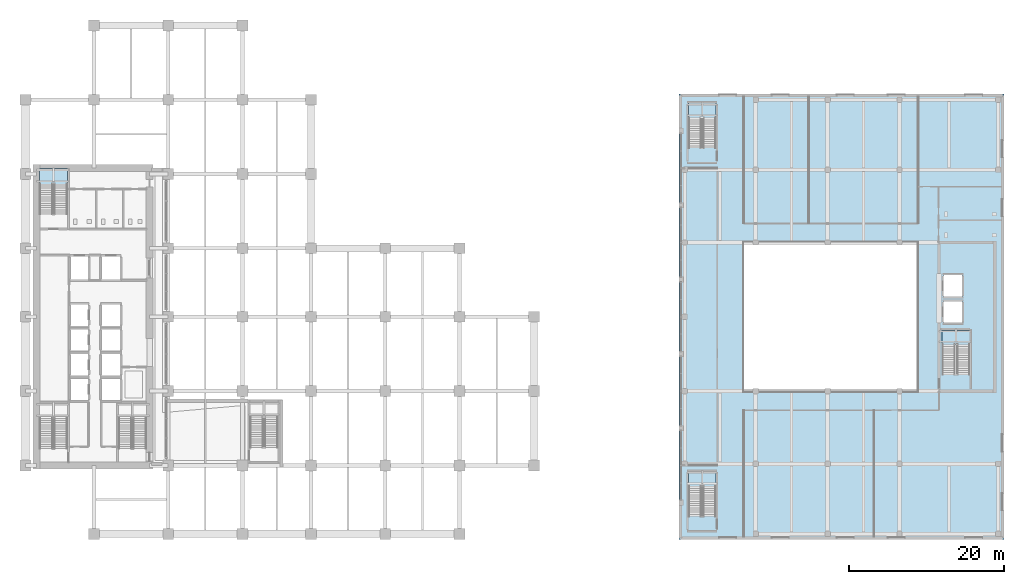
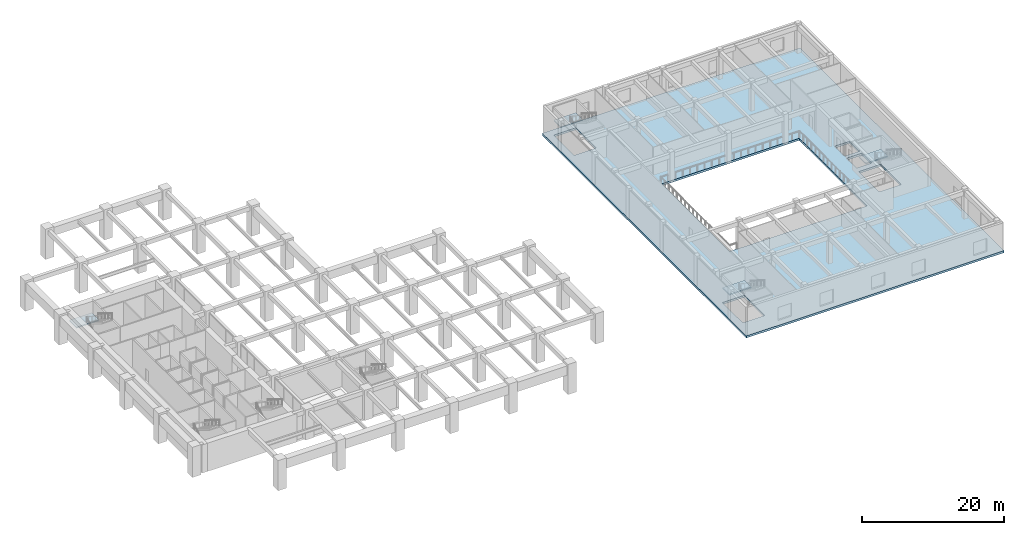
# One storey, part 4 of 22: 5 slabs, 4 elements without a shape of their own.
"""IFC4 building model written with IfcOpenShell, lengths in metres."""

from ifc_helpers import new_model, si_unit, direction, frame, origin, place, context, subcontext, project, spatial, polyline, outline, extrude, material, layer, layer_set, type_object, element, aggregate, save


model = new_model("IFC4")

# Units and contexts
model_context = context("Model", 3, precision=1e-05, world=origin(), true_north=direction((0.0, 1.0)))
body_context = subcontext(model_context, "Body", "Model", "MODEL_VIEW")
ifc_project = project(units=[si_unit("LENGTHUNIT", "METRE"), si_unit("AREAUNIT", "SQUARE_METRE"), si_unit("VOLUMEUNIT", "CUBIC_METRE"), si_unit("PLANEANGLEUNIT", "RADIAN"), si_unit("MASSUNIT", "GRAM", prefix="KILO")], contexts=[model_context])

# Site, building, storey
site_placement = place(None, origin())
site = spatial("IfcSite", under=ifc_project, at=site_placement, CompositionType="ELEMENT")
building_placement = place(site_placement, origin())
building = spatial("IfcBuilding", under=site, at=building_placement, Name="Norrvale University Quadrangle", CompositionType="ELEMENT")
storey_placement = place(building_placement, frame((0.0, 0.0, 5.199951171875)))
storey = spatial("IfcBuildingStorey", under=building, at=storey_placement, Name="L01", CompositionType="ELEMENT", Elevation=5.199951171875)

# Stair, slab
ifc_material = material(Name="Concrete C40/50", Category="concrete")
stair_type = type_object("IfcStairType", Name="Stair Tower Tall 5200", PredefinedType="TWO_STRAIGHT_RUN_STAIR", material=ifc_material)
stair_1_placement = place(storey_placement, origin())
stair_1 = element("IfcStair", 1, at=stair_1_placement, inside=storey, type_object=stair_type, Name="Exit Stair ST-02 L01", PredefinedType="TWO_STRAIGHT_RUN_STAIR")
ifc_layer_1 = layer(ifc_material, 0.199951171875, Name="Concrete C40/50")
ifc_layer_set_1 = layer_set([ifc_layer_1], Name="Concrete C40/50")
slab_type_1 = type_object("IfcSlabType", Name="Slab Landing 200", PredefinedType="LANDING", material=ifc_layer_set_1)
slab_1_placement = place(storey_placement, frame((0.0, 0.0, 2.400146484375)))
slab_1 = element("IfcSlab", 2, at=slab_1_placement, type_object=slab_type_1, Name="Exit Stair ST-02 L01 Mid Landing", PredefinedType="LANDING", context=body_context, shape_type="SweptSolid", body=[
    extrude(outline(polyline([(2.550048828125, 45.909912109375), (6.199951171875, 45.909912109375), (6.199951171875, 47.949951171875), (2.550048828125, 47.949951171875), (2.550048828125, 45.909912109375)])), origin(), (0.0, 0.0, 1.0), 0.199951171875),
])
aggregate(stair_1, [slab_1])

stair_2_placement = place(storey_placement, origin())
stair_2 = element("IfcStair", 3, at=stair_2_placement, inside=storey, type_object=stair_type, Name="Exit Stair ST-L1 L01", PredefinedType="TWO_STRAIGHT_RUN_STAIR")
slab_2_placement = place(storey_placement, frame((0.0, 0.0, 2.400146484375)))
slab_2 = element("IfcSlab", 4, at=slab_2_placement, type_object=slab_type_1, Name="Exit Stair ST-L1 L01 Mid Landing", PredefinedType="LANDING", context=body_context, shape_type="SweptSolid", body=[
    extrude(outline(polyline([(119.199951171875, 25.159912109375), (122.800048828125, 25.159912109375), (122.800048828125, 27.10009765625), (119.199951171875, 27.10009765625), (119.199951171875, 25.159912109375)])), origin(), (0.0, 0.0, 1.0), 0.199951171875),
])
aggregate(stair_2, [slab_2])

stair_3_placement = place(storey_placement, origin())
stair_3 = element("IfcStair", 5, at=stair_3_placement, inside=storey, type_object=stair_type, Name="Exit Stair ST-L2 L01", PredefinedType="TWO_STRAIGHT_RUN_STAIR")
slab_3_placement = place(storey_placement, frame((0.0, 0.0, 2.400146484375)))
slab_3 = element("IfcSlab", 6, at=slab_3_placement, type_object=slab_type_1, Name="Exit Stair ST-L2 L01 Mid Landing", PredefinedType="LANDING", context=body_context, shape_type="SweptSolid", body=[
    extrude(outline(polyline([(86.39990234375, 6.860107421875), (90.0, 6.860107421875), (90.0, 8.800048828125), (86.39990234375, 8.800048828125), (86.39990234375, 6.860107421875)])), origin(), (0.0, 0.0, 1.0), 0.199951171875),
])
aggregate(stair_3, [slab_3])

stair_4_placement = place(storey_placement, origin())
stair_4 = element("IfcStair", 7, at=stair_4_placement, inside=storey, type_object=stair_type, Name="Exit Stair ST-L3 L01", PredefinedType="TWO_STRAIGHT_RUN_STAIR")
slab_4_placement = place(storey_placement, frame((0.0, 0.0, 2.400146484375)))
slab_4 = element("IfcSlab", 8, at=slab_4_placement, type_object=slab_type_1, Name="Exit Stair ST-L3 L01 Mid Landing", PredefinedType="LANDING", context=body_context, shape_type="SweptSolid", body=[
    extrude(outline(polyline([(86.39990234375, 54.4599609375), (90.0, 54.4599609375), (90.0, 56.39990234375), (86.39990234375, 56.39990234375), (86.39990234375, 54.4599609375)])), origin(), (0.0, 0.0, 1.0), 0.199951171875),
])
aggregate(stair_4, [slab_4])

# Slab
ifc_layer_2 = layer(ifc_material, 0.35009765625, Name="Concrete C40/50")
ifc_layer_set_2 = layer_set([ifc_layer_2], Name="Concrete C40/50")
slab_type_2 = type_object("IfcSlabType", Name="Slab Lib Stack 350", PredefinedType="FLOOR", material=ifc_layer_set_2)
slab_5_placement = place(storey_placement, frame((0.0, 0.0, -0.349853515625)))
element("IfcSlab", 9, at=slab_5_placement, inside=storey, type_object=slab_type_2, Name="Central Library L01 Floor Slab", PredefinedType="FLOOR", context=body_context, shape_type="SweptSolid", body=[
    extrude(outline(polyline([(85.199951171875, 0.0), (127.199951171875, 0.0), (127.199951171875, 57.60009765625), (85.199951171875, 57.60009765625), (85.199951171875, 0.0)]), holes=[polyline([(119.199951171875, 21.360107421875), (122.800048828125, 21.360107421875), (122.800048828125, 27.10009765625), (119.199951171875, 27.10009765625), (119.199951171875, 21.360107421875)]), polyline([(86.39990234375, 3.06005859375), (90.0, 3.06005859375), (90.0, 8.800048828125), (86.39990234375, 8.800048828125), (86.39990234375, 3.06005859375)]), polyline([(86.39990234375, 50.659912109375), (90.0, 50.659912109375), (90.0, 56.39990234375), (86.39990234375, 56.39990234375), (86.39990234375, 50.659912109375)]), polyline([(119.39990234375, 28.0), (121.800048828125, 28.0), (121.800048828125, 30.800048828125), (119.39990234375, 30.800048828125), (119.39990234375, 28.0)]), polyline([(119.39990234375, 31.39990234375), (121.800048828125, 31.39990234375), (121.800048828125, 34.199951171875), (119.39990234375, 34.199951171875), (119.39990234375, 31.39990234375)]), polyline([(93.60009765625, 19.199951171875), (116.0, 19.199951171875), (116.0, 38.39990234375), (93.60009765625, 38.39990234375), (93.60009765625, 19.199951171875)])]), origin(), (0.0, 0.0, 1.0), 0.349853515625),
])

save(model, "model.ifc")
